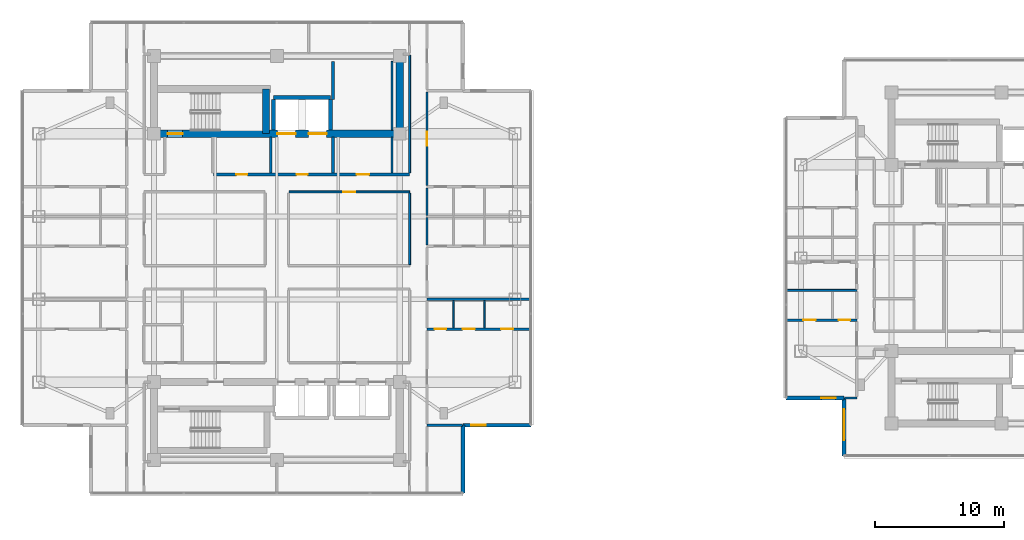
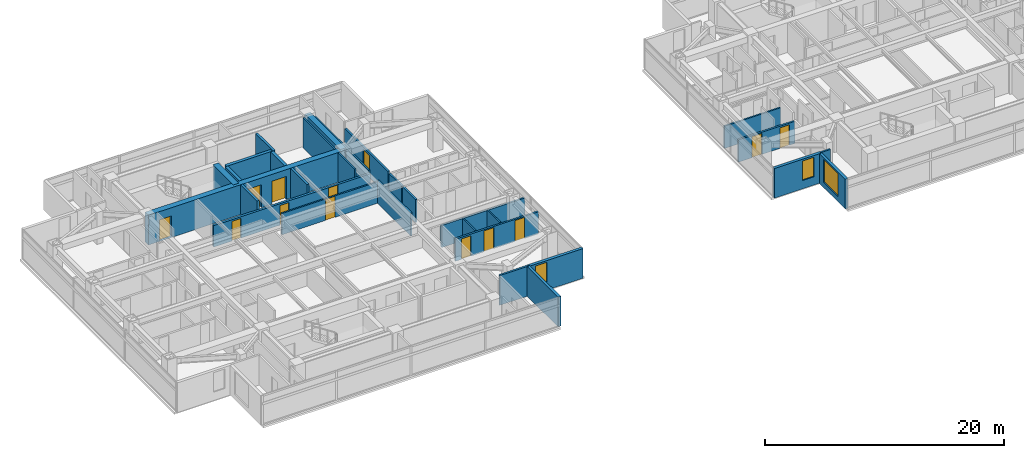
# One storey, part 14 of 24: 30 walls, 13 doors, 3 windows, 16 openings.
"""IFC4 building model written with IfcOpenShell, lengths in metres."""

from ifc_helpers import new_model, si_unit, direction, frame, frame_2d, origin, place, context, subcontext, project, spatial, rectangle, extrude, material, layer, layer_set, type_object, element, fill, save


model = new_model("IFC4")

# Units and contexts
model_context = context("Model", 3, precision=1e-05, world=origin(), true_north=direction((0.0, 1.0)))
body_context = subcontext(model_context, "Body", "Model", "MODEL_VIEW")
ifc_project = project(units=[si_unit("LENGTHUNIT", "METRE"), si_unit("AREAUNIT", "SQUARE_METRE"), si_unit("VOLUMEUNIT", "CUBIC_METRE"), si_unit("PLANEANGLEUNIT", "RADIAN"), si_unit("MASSUNIT", "GRAM", prefix="KILO")], contexts=[model_context])

# Site, building, storey
site_placement = place(None, origin())
site = spatial("IfcSite", under=ifc_project, at=site_placement, CompositionType="ELEMENT")
building_placement = place(site_placement, origin())
building = spatial("IfcBuilding", under=site, at=building_placement, Name="Mirazonda Arch Towers", CompositionType="ELEMENT")
storey_placement = place(building_placement, frame((0.0, 0.0, 154.39990234375)))
storey = spatial("IfcBuildingStorey", under=building, at=storey_placement, Name="L43", CompositionType="ELEMENT", Elevation=154.39990234375)

# Wall
ifc_material_1 = material(Name="Concrete C50/60", Category="concrete")
ifc_layer_1 = layer(ifc_material_1, 0.550048828125, Name="WALL-CORE-550")
ifc_layer_set_1 = layer_set([ifc_layer_1], Name="Concrete C50/60")
wall_type_1 = type_object("IfcWallType", Name="WALL-CORE-550", PredefinedType="SHEAR", material=ifc_layer_set_1)
wall_1_placement = place(storey_placement, frame((30.0, 37.60009765625, 0.0), z_axis=(0.0, 0.0, 1.0), x_axis=(0.0, 1.0, 0.0)))
element("IfcWall", 1, at=wall_1_placement, inside=storey, type_object=wall_type_1, Name="L43 T1N-E Core Shear Wall", PredefinedType="SHEAR", context=body_context, shape_type="SweptSolid", body=[
    extrude(rectangle(XDim=6.0, YDim=0.550048828125, at=frame_2d((3.0, 0.0))), origin(), (0.0, 0.0, 1.0), 3.050048828125),
])

# Wall, openings, doors
wall_2_placement = place(storey_placement, frame((11.0, 37.60009765625, 0.0), z_axis=(0.0, 0.0, 1.0), x_axis=(1.0, 0.0, 0.0)))
wall_2 = element("IfcWall", 2, at=wall_2_placement, inside=storey, type_object=wall_type_1, Name="L43 T1N-S Core Shear Wall", PredefinedType="SHEAR", context=body_context, shape_type="SweptSolid", body=[
    extrude(rectangle(XDim=19.0, YDim=0.550048828125, at=frame_2d((9.5, 0.0))), origin(), (0.0, 0.0, 1.0), 3.050048828125),
])
opening_1_placement = place(wall_2_placement, frame((1.06005859375, 0.0, 0.0)))
opening_1 = element("IfcOpeningElement", 3, at=opening_1_placement, cuts=wall_2, Name="Opening DR-135", PredefinedType="OPENING", context=body_context, shape_type="SweptSolid", body=[
    extrude(rectangle(XDim=1.14990234375, YDim=2.199951171875, at=frame_2d((0.574951171875, 1.10009765625))), frame((0.0, 0.284912109375, 0.0), z_axis=(0.0, -1.0, 0.0), x_axis=(1.0, 0.0, 0.0)), (0.0, 0.0, 1.0), 0.570068359375),
])
opening_2_placement = place(wall_2_placement, frame((9.550048828125, 0.0, 0.0)))
opening_2 = element("IfcOpeningElement", 4, at=opening_2_placement, cuts=wall_2, Name="Opening LD-112", PredefinedType="OPENING", context=body_context, shape_type="SweptSolid", body=[
    extrude(rectangle(XDim=1.39990234375, YDim=2.35009765625, at=frame_2d((0.699951171875, 1.175048828125))), frame((0.0, 0.284912109375, 0.0), z_axis=(0.0, -1.0, 0.0), x_axis=(1.0, 0.0, 0.0)), (0.0, 0.0, 1.0), 0.570068359375),
])
opening_3_placement = place(wall_2_placement, frame((11.949951171875, 0.0, 0.0)))
opening_3 = element("IfcOpeningElement", 5, at=opening_3_placement, cuts=wall_2, Name="Opening LD-112", PredefinedType="OPENING", context=body_context, shape_type="SweptSolid", body=[
    extrude(rectangle(XDim=1.39990234375, YDim=2.35009765625, at=frame_2d((0.699951171875, 1.175048828125))), frame((0.0, 0.284912109375, 0.0), z_axis=(0.0, -1.0, 0.0), x_axis=(1.0, 0.0, 0.0)), (0.0, 0.0, 1.0), 0.570068359375),
])
ifc_material_2 = material(Name="Architectural Brushed Steel S355", Category="steel")
door_type_1 = type_object("IfcDoorType", Name="DOOR-LIFT-FFL-1400", OperationType="NOTDEFINED", PredefinedType="DOOR", material=ifc_material_2)
door_1_placement = place(opening_2_placement, origin())
door_1 = element("IfcDoor", 6, at=door_1_placement, inside=storey, type_object=door_type_1, Name="L43 Lift Landing Sliding Door FFL-T1", OperationType="DOUBLE_DOOR_SLIDING", OverallHeight=2.35009765625, OverallWidth=1.39990234375, PredefinedType="DOOR", context=body_context, shape_type="SweptSolid", body=[
    extrude(rectangle(XDim=1.39990234375, YDim=2.35009765625, at=frame_2d((0.699951171875, 1.175048828125))), frame((0.0, 0.02490234375, 0.0), z_axis=(0.0, -1.0, 0.0), x_axis=(1.0, 0.0, 0.0)), (0.0, 0.0, 1.0), 0.050048828125),
])
fill(opening_2, door_1)
door_2_placement = place(opening_3_placement, origin())
door_2 = element("IfcDoor", 7, at=door_2_placement, inside=storey, type_object=door_type_1, Name="L43 Lift Landing Sliding Door SVL-T1", OperationType="DOUBLE_DOOR_SLIDING", OverallHeight=2.35009765625, OverallWidth=1.39990234375, PredefinedType="DOOR", context=body_context, shape_type="SweptSolid", body=[
    extrude(rectangle(XDim=1.39990234375, YDim=2.35009765625, at=frame_2d((0.699951171875, 1.175048828125))), frame((0.0, 0.02490234375, 0.0), z_axis=(0.0, -1.0, 0.0), x_axis=(1.0, 0.0, 0.0)), (0.0, 0.0, 1.0), 0.050048828125),
])
fill(opening_3, door_2)
door_type_2 = type_object("IfcDoorType", Name="DOOR-STAIR-FD90-1150", OperationType="NOTDEFINED", PredefinedType="DOOR", material=ifc_material_2)
door_3_placement = place(opening_1_placement, origin())
door_3 = element("IfcDoor", 8, at=door_3_placement, inside=storey, type_object=door_type_2, Name="L43 Protected Exit Stair North Door", OperationType="SINGLE_SWING_RIGHT", OverallHeight=2.199951171875, OverallWidth=1.14990234375, PredefinedType="DOOR", context=body_context, shape_type="SweptSolid", body=[
    extrude(rectangle(XDim=1.14990234375, YDim=2.199951171875, at=frame_2d((0.574951171875, 1.10009765625))), frame((0.0, 0.02490234375, 0.0), z_axis=(0.0, -1.0, 0.0), x_axis=(1.0, 0.0, 0.0)), (0.0, 0.0, 1.0), 0.050048828125),
])
fill(opening_1, door_3)

# Wall
wall_3_placement = place(storey_placement, frame((19.64990234375, 37.60009765625, 0.0), z_axis=(0.0, 0.0, 1.0), x_axis=(0.0, 1.0, 0.0)))
element("IfcWall", 9, at=wall_3_placement, inside=storey, type_object=wall_type_1, Name="L43 T1N-STE Core Shear Wall", PredefinedType="SHEAR", context=body_context, shape_type="SweptSolid", body=[
    extrude(rectangle(XDim=3.44287109375, YDim=0.550048828125, at=frame_2d((1.721435546875, 0.0))), origin(), (0.0, 0.0, 1.0), 3.050048828125),
])

# Wall, opening, window
ifc_material_3 = material(Name="Precast Concrete C40/50", Category="concrete")
ifc_layer_2 = layer(ifc_material_3, 0.280029296875, Name="WALL-EXT-WALL-280")
ifc_layer_set_2 = layer_set([ifc_layer_2], Name="Precast Concrete C40/50")
wall_type_2 = type_object("IfcWallType", Name="WALL-EXT-WALL-280", PredefinedType="SOLIDWALL", material=ifc_layer_set_2)
wall_4_placement = place(storey_placement, frame((34.885009765625, 15.074951171875, 0.0), z_axis=(0.0, 0.0, 1.0), x_axis=(1.0, 0.0, 0.0)))
wall_4 = element("IfcWall", 10, at=wall_4_placement, inside=storey, type_object=wall_type_2, Name="L43 T1 Corner Notch Return Wall WL-L43-T1-CSE1", PredefinedType="SOLIDWALL", context=body_context, shape_type="SweptSolid", body=[
    extrude(rectangle(XDim=5.244873046875, YDim=0.280029296875, at=frame_2d((2.62255859375, 0.0))), origin(), (0.0, 0.0, 1.0), 3.030029296875),
])
opening_4_placement = place(wall_4_placement, frame((0.64990234375, 0.0, 0.85009765625)))
opening_4 = element("IfcOpeningElement", 11, at=opening_4_placement, cuts=wall_4, Name="Opening WN-108", PredefinedType="OPENING", context=body_context, shape_type="SweptSolid", body=[
    extrude(rectangle(XDim=1.10009765625, YDim=2.0, at=frame_2d((0.550048828125, 1.0))), frame((0.0, 0.14990234375, 0.0), z_axis=(0.0, -1.0, 0.0), x_axis=(1.0, 0.0, 0.0)), (0.0, 0.0, 1.0), 0.300048828125),
])
ifc_material_4 = material(Name="Insulated Low-E Solar Glass", Category="glass")
window_type_1 = type_object("IfcWindowType", Name="WIN-NOTCH-1100x2000", PartitioningType="SINGLE_PANEL", PredefinedType="WINDOW", material=ifc_material_4)
window_1_placement = place(opening_4_placement, origin())
window_1 = element("IfcWindow", 12, at=window_1_placement, inside=storey, type_object=window_type_1, Name="L43 Punched Facade Window WN-L43-T1-CSE1", OverallHeight=2.0, OverallWidth=1.10009765625, PartitioningType="SINGLE_PANEL", PredefinedType="WINDOW", context=body_context, shape_type="SweptSolid", body=[
    extrude(rectangle(XDim=1.10009765625, YDim=2.0, at=frame_2d((0.550048828125, 1.0))), frame((0.0, 0.030029296875, 0.0), z_axis=(0.0, -1.0, 0.0), x_axis=(1.0, 0.0, 0.0)), (0.0, 0.0, 1.0), 0.06005859375),
])
fill(opening_4, window_1)

# Wall
wall_5_placement = place(storey_placement, frame((34.885009765625, 9.830078125, 0.0), z_axis=(0.0, 0.0, 1.0), x_axis=(0.0, 1.0, 0.0)))
element("IfcWall", 13, at=wall_5_placement, inside=storey, type_object=wall_type_2, Name="L43 T1 Corner Notch Return Wall WL-L43-T1-CSE2", PredefinedType="SOLIDWALL", context=body_context, shape_type="SweptSolid", body=[
    extrude(rectangle(XDim=5.244873046875, YDim=0.280029296875, at=frame_2d((2.62255859375, 0.0))), origin(), (0.0, 0.0, 1.0), 3.030029296875),
])

# Wall, opening, window
wall_6_placement = place(storey_placement, frame((64.332763671875, 17.173583984375, 0.0), z_axis=(0.0, 0.0, 1.0), x_axis=(0.0, -1.0, 0.0)))
wall_6 = element("IfcWall", 14, at=wall_6_placement, inside=storey, type_object=wall_type_2, Name="L43 T2 Notched SW Corner Wall WL-L43-T2-CSW", PredefinedType="SOLIDWALL", context=body_context, shape_type="SweptSolid", body=[
    extrude(rectangle(XDim=4.465087890625, YDim=0.280029296875, at=frame_2d((2.232421875, 0.0))), origin(), (0.0, 0.0, 1.0), 3.030029296875),
])
opening_5_placement = place(wall_6_placement, frame((0.85009765625, 0.0, 0.530029296875)))
opening_5 = element("IfcOpeningElement", 15, at=opening_5_placement, cuts=wall_6, Name="Opening WN-121", PredefinedType="OPENING", context=body_context, shape_type="SweptSolid", body=[
    extrude(rectangle(XDim=2.39990234375, YDim=2.35009765625, at=frame_2d((1.199951171875, 1.175048828125))), frame((0.0, 0.14990234375, 0.0), z_axis=(0.0, -1.0, 0.0), x_axis=(1.0, 0.0, 0.0)), (0.0, 0.0, 1.0), 0.300048828125),
])
window_type_2 = type_object("IfcWindowType", Name="WIN-PENT-2400x2350", PartitioningType="SINGLE_PANEL", PredefinedType="WINDOW", material=ifc_material_4)
window_2_placement = place(opening_5_placement, origin())
window_2 = element("IfcWindow", 16, at=window_2_placement, inside=storey, type_object=window_type_2, Name="L43 Punched Facade Window WN-L43-T2-CSW", OverallHeight=2.35009765625, OverallWidth=2.39990234375, PartitioningType="SINGLE_PANEL", PredefinedType="WINDOW", context=body_context, shape_type="SweptSolid", body=[
    extrude(rectangle(XDim=2.39990234375, YDim=2.35009765625, at=frame_2d((1.199951171875, 1.175048828125))), frame((0.0, 0.030029296875, 0.0), z_axis=(0.0, -1.0, 0.0), x_axis=(1.0, 0.0, 0.0)), (0.0, 0.0, 1.0), 0.06005859375),
])
fill(opening_5, window_2)

wall_7_placement = place(storey_placement, frame((59.867431640625, 17.173583984375, 0.0), z_axis=(0.0, 0.0, 1.0), x_axis=(1.0, 0.0, 0.0)))
wall_7 = element("IfcWall", 17, at=wall_7_placement, inside=storey, type_object=wall_type_2, Name="L43 T2 Corner Notch Return Wall WL-L43-T2-CSW2", PredefinedType="SOLIDWALL", context=body_context, shape_type="SweptSolid", body=[
    extrude(rectangle(XDim=4.46533203125, YDim=0.280029296875, at=frame_2d((2.232666015625, 0.0))), origin(), (0.0, 0.0, 1.0), 3.030029296875),
])
opening_6_placement = place(wall_7_placement, frame((2.715087890625, 0.0, 0.85009765625)))
opening_6 = element("IfcOpeningElement", 18, at=opening_6_placement, cuts=wall_7, Name="Opening WN-108", PredefinedType="OPENING", context=body_context, shape_type="SweptSolid", body=[
    extrude(rectangle(XDim=1.10009765625, YDim=2.0, at=frame_2d((0.550048828125, 1.0))), frame((0.0, 0.14990234375, 0.0), z_axis=(0.0, -1.0, 0.0), x_axis=(1.0, 0.0, 0.0)), (0.0, 0.0, 1.0), 0.300048828125),
])
window_3_placement = place(opening_6_placement, origin())
window_3 = element("IfcWindow", 19, at=window_3_placement, inside=storey, type_object=window_type_1, Name="L43 Punched Facade Window WN-L43-T2-CSW2", OverallHeight=2.0, OverallWidth=1.10009765625, PartitioningType="SINGLE_PANEL", PredefinedType="WINDOW", context=body_context, shape_type="SweptSolid", body=[
    extrude(rectangle(XDim=1.10009765625, YDim=2.0, at=frame_2d((0.550048828125, 1.0))), frame((0.0, 0.030029296875, 0.0), z_axis=(0.0, -1.0, 0.0), x_axis=(1.0, 0.0, 0.0)), (0.0, 0.0, 1.0), 0.06005859375),
])
fill(opening_6, window_3)

# Wall, openings, doors
ifc_material_5 = material(Name="Concrete C40/50", Category="concrete")
ifc_layer_3 = layer(ifc_material_5, 0.219970703125, Name="WALL-FFL-220")
ifc_layer_set_3 = layer_set([ifc_layer_3], Name="Concrete C40/50")
wall_type_3 = type_object("IfcWallType", Name="WALL-FFL-220", PredefinedType="SOLIDWALL", material=ifc_layer_set_3)
wall_8_placement = place(storey_placement, frame((15.590087890625, 34.449951171875, 0.0), z_axis=(0.0, 0.0, 1.0), x_axis=(1.0, 0.0, 0.0)))
wall_8 = element("IfcWall", 20, at=wall_8_placement, inside=storey, type_object=wall_type_3, Name="L43 Interior Partition 052", PredefinedType="SOLIDWALL", context=body_context, shape_type="SweptSolid", body=[
    extrude(rectangle(XDim=15.169921875, YDim=0.219970703125, at=frame_2d((7.5849609375, 0.0))), origin(), (0.0, 0.0, 1.0), 2.18603515625),
])
opening_7_placement = place(wall_8_placement, frame((6.43505859375, 0.0, 0.0)))
opening_7 = element("IfcOpeningElement", 21, at=opening_7_placement, cuts=wall_8, Name="Opening DR-128", PredefinedType="OPENING", context=body_context, shape_type="SweptSolid", body=[
    extrude(rectangle(XDim=0.85009765625, YDim=2.010009765625, at=frame_2d((0.425048828125, 1.0048828125))), frame((0.0, 0.119873046875, 0.0), z_axis=(0.0, -1.0, 0.0), x_axis=(1.0, 0.0, 0.0)), (0.0, 0.0, 1.0), 0.239990234375),
])
opening_8_placement = place(wall_8_placement, frame((11.0849609375, 0.0, 0.0)))
opening_8 = element("IfcOpeningElement", 22, at=opening_8_placement, cuts=wall_8, Name="Opening DR-104", PredefinedType="OPENING", context=body_context, shape_type="SweptSolid", body=[
    extrude(rectangle(XDim=0.949951171875, YDim=2.14990234375, at=frame_2d((0.47509765625, 1.074951171875))), frame((0.0, 0.119873046875, 0.0), z_axis=(0.0, -1.0, 0.0), x_axis=(1.0, 0.0, 0.0)), (0.0, 0.0, 1.0), 0.239990234375),
])
opening_9_placement = place(wall_8_placement, frame((1.77490234375, 0.0, 0.0)))
opening_9 = element("IfcOpeningElement", 23, at=opening_9_placement, cuts=wall_8, Name="Opening DR-128", PredefinedType="OPENING", context=body_context, shape_type="SweptSolid", body=[
    extrude(rectangle(XDim=0.85009765625, YDim=2.010009765625, at=frame_2d((0.425048828125, 1.0048828125))), frame((0.0, 0.119873046875, 0.0), z_axis=(0.0, -1.0, 0.0), x_axis=(1.0, 0.0, 0.0)), (0.0, 0.0, 1.0), 0.239990234375),
])
door_type_3 = type_object("IfcDoorType", Name="DOOR-RISER-FD60-850", OperationType="NOTDEFINED", PredefinedType="DOOR", material=ifc_material_2)
door_4_placement = place(opening_7_placement, origin())
door_4 = element("IfcDoor", 24, at=door_4_placement, inside=storey, type_object=door_type_3, Name="L43 Firefighting Lift Lobby Door", OperationType="SINGLE_SWING_LEFT", OverallHeight=2.010009765625, OverallWidth=0.85009765625, PredefinedType="DOOR", context=body_context, shape_type="SweptSolid", body=[
    extrude(rectangle(XDim=0.85009765625, YDim=2.010009765625, at=frame_2d((0.425048828125, 1.0048828125))), frame((0.0, 0.02490234375, 0.0), z_axis=(0.0, -1.0, 0.0), x_axis=(1.0, 0.0, 0.0)), (0.0, 0.0, 1.0), 0.050048828125),
])
fill(opening_7, door_4)
door_5_placement = place(opening_9_placement, origin())
door_5 = element("IfcDoor", 25, at=door_5_placement, inside=storey, type_object=door_type_3, Name="L43 Housekeeping Linen Room Door", OperationType="SINGLE_SWING_LEFT", OverallHeight=2.010009765625, OverallWidth=0.85009765625, PredefinedType="DOOR", context=body_context, shape_type="SweptSolid", body=[
    extrude(rectangle(XDim=0.85009765625, YDim=2.010009765625, at=frame_2d((0.425048828125, 1.0048828125))), frame((0.0, 0.02490234375, 0.0), z_axis=(0.0, -1.0, 0.0), x_axis=(1.0, 0.0, 0.0)), (0.0, 0.0, 1.0), 0.050048828125),
])
fill(opening_9, door_5)
door_type_4 = type_object("IfcDoorType", Name="DOOR-ROOM-950", OperationType="NOTDEFINED", PredefinedType="DOOR", material=ifc_material_2)
door_6_placement = place(opening_8_placement, origin())
door_6 = element("IfcDoor", 26, at=door_6_placement, inside=storey, type_object=door_type_4, Name="L43 Residents Private Art Gallery Door", OperationType="SINGLE_SWING_RIGHT", OverallHeight=2.14990234375, OverallWidth=0.949951171875, PredefinedType="DOOR", context=body_context, shape_type="SweptSolid", body=[
    extrude(rectangle(XDim=0.949951171875, YDim=2.14990234375, at=frame_2d((0.47509765625, 1.074951171875))), frame((0.0, 0.02490234375, 0.0), z_axis=(0.0, -1.0, 0.0), x_axis=(1.0, 0.0, 0.0)), (0.0, 0.0, 1.0), 0.050048828125),
])
fill(opening_8, door_6)

# Walls
for number, where, z_axis, x_axis, name in (
    (27, (20.02490234375, 34.570068359375, 0.0), (0.0, 0.0, 1.0), (0.0, 1.0, 0.0), "L43 Interior Partition 089"),
    (28, (24.85009765625, 34.570068359375, 0.0), (0.0, 0.0, 1.0), (0.0, 1.0, 0.0), "L43 Interior Partition 100"),
):
    element("IfcWall", number, at=place(storey_placement, frame(where, z_axis=z_axis, x_axis=x_axis)), inside=storey, type_object=wall_type_3, Name=name, PredefinedType="SOLIDWALL", context=body_context, shape_type="SweptSolid", body=[
        extrude(rectangle(XDim=2.760009765625, YDim=0.219970703125, at=frame_2d((1.3798828125, 0.0))), origin(), (0.0, 0.0, 1.0), 3.050048828125),
    ])
wall_9_placement = place(storey_placement, frame((24.85009765625, 40.260009765625, 0.0), z_axis=(0.0, 0.0, 1.0), x_axis=(0.0, 1.0, 0.0)))
element("IfcWall", 29, at=wall_9_placement, inside=storey, type_object=wall_type_3, Name="L43 Interior Partition 101", PredefinedType="SOLIDWALL", context=body_context, shape_type="SweptSolid", body=[
    extrude(rectangle(XDim=2.93994140625, YDim=0.219970703125, at=frame_2d((1.469970703125, 0.0))), origin(), (0.0, 0.0, 1.0), 3.050048828125),
])
ifc_material_6 = material(Name="Fire-Rated Gypsum Stud Partition")
ifc_layer_4 = layer(ifc_material_6, 0.14990234375, Name="WALL-PART-CORR-150")
ifc_layer_set_4 = layer_set([ifc_layer_4], Name="Fire-Rated Gypsum Stud Partition")
wall_type_4 = type_object("IfcWallType", Name="WALL-PART-CORR-150", PredefinedType="PARTITIONING", material=ifc_layer_set_4)
wall_10_placement = place(storey_placement, frame((59.866943359375, 25.491943359375, 0.0), z_axis=(0.0, 0.0, 1.0), x_axis=(1.0, 0.0, 0.0)))
element("IfcWall", 30, at=wall_10_placement, inside=storey, type_object=wall_type_4, Name="L43 Interior Partition 031", PredefinedType="PARTITIONING", context=body_context, shape_type="SweptSolid", body=[
    extrude(rectangle(XDim=5.453125, YDim=0.14990234375, at=frame_2d((2.7265625, 0.0))), origin(), (0.0, 0.0, 1.0), 2.26904296875),
])

# Wall, opening, door
wall_11_placement = place(storey_placement, frame((21.43994140625, 33.10009765625, 0.0), z_axis=(0.0, 0.0, 1.0), x_axis=(1.0, 0.0, 0.0)))
wall_11 = element("IfcWall", 31, at=wall_11_placement, inside=storey, type_object=wall_type_4, Name="L43 Interior Partition 048", PredefinedType="PARTITIONING", context=body_context, shape_type="SweptSolid", body=[
    extrude(rectangle(XDim=9.320068359375, YDim=0.14990234375, at=frame_2d((4.66015625, 0.0))), origin(), (0.0, 0.0, 1.0), 2.18603515625),
])
opening_10_placement = place(wall_11_placement, frame((4.18505859375, 0.0, 0.0)))
opening_10 = element("IfcOpeningElement", 32, at=opening_10_placement, cuts=wall_11, Name="Opening DR-104", PredefinedType="OPENING", context=body_context, shape_type="SweptSolid", body=[
    extrude(rectangle(XDim=0.949951171875, YDim=2.14990234375, at=frame_2d((0.47509765625, 1.074951171875))), frame((0.0, 0.0849609375, 0.0), z_axis=(0.0, -1.0, 0.0), x_axis=(1.0, 0.0, 0.0)), (0.0, 0.0, 1.0), 0.169921875),
])
door_7_placement = place(opening_10_placement, origin())
door_7 = element("IfcDoor", 33, at=door_7_placement, inside=storey, type_object=door_type_4, Name="L43 L43 North-East Cruciform Study Door", OperationType="SINGLE_SWING_LEFT", OverallHeight=2.14990234375, OverallWidth=0.949951171875, PredefinedType="DOOR", context=body_context, shape_type="SweptSolid", body=[
    extrude(rectangle(XDim=0.949951171875, YDim=2.14990234375, at=frame_2d((0.47509765625, 1.074951171875))), frame((0.0, 0.02490234375, 0.0), z_axis=(0.0, -1.0, 0.0), x_axis=(1.0, 0.0, 0.0)), (0.0, 0.0, 1.0), 0.050048828125),
])
fill(opening_10, door_7)

# Walls
wall_12_placement = place(storey_placement, frame((29.39990234375, 34.570068359375, 0.0), z_axis=(0.0, 0.0, 1.0), x_axis=(0.0, 1.0, 0.0)))
element("IfcWall", 34, at=wall_12_placement, inside=storey, type_object=wall_type_4, Name="L43 Interior Partition 103", PredefinedType="PARTITIONING", context=body_context, shape_type="SweptSolid", body=[
    extrude(rectangle(XDim=2.760009765625, YDim=0.14990234375, at=frame_2d((1.3798828125, 0.0))), origin(), (0.0, 0.0, 1.0), 3.050048828125),
])
wall_13_placement = place(storey_placement, frame((29.39990234375, 37.8701171875, 0.0), z_axis=(0.0, 0.0, 1.0), x_axis=(0.0, 1.0, 0.0)))
element("IfcWall", 35, at=wall_13_placement, inside=storey, type_object=wall_type_4, Name="L43 Interior Partition 104", PredefinedType="PARTITIONING", context=body_context, shape_type="SweptSolid", body=[
    extrude(rectangle(XDim=5.329833984375, YDim=0.14990234375, at=frame_2d((2.6650390625, 0.0))), origin(), (0.0, 0.0, 1.0), 3.050048828125),
])
wall_14_placement = place(storey_placement, frame((30.760009765625, 27.485107421875, 0.0), z_axis=(0.0, 0.0, 1.0), x_axis=(0.0, 1.0, 0.0)))
element("IfcWall", 36, at=wall_14_placement, inside=storey, type_object=wall_type_4, Name="L43 Interior Partition 108", PredefinedType="PARTITIONING", context=body_context, shape_type="SweptSolid", body=[
    extrude(rectangle(XDim=5.52978515625, YDim=0.14990234375, at=frame_2d((2.764892578125, 0.0))), origin(), (0.0, 0.0, 1.0), 2.34619140625),
])
wall_15_placement = place(storey_placement, frame((30.760009765625, 34.570068359375, 0.0), z_axis=(0.0, 0.0, 1.0), x_axis=(0.0, 1.0, 0.0)))
element("IfcWall", 37, at=wall_15_placement, inside=storey, type_object=wall_type_4, Name="L43 Interior Partition 109", PredefinedType="PARTITIONING", context=body_context, shape_type="SweptSolid", body=[
    extrude(rectangle(XDim=9.094970703125, YDim=0.14990234375, at=frame_2d((4.54736328125, 0.0))), origin(), (0.0, 0.0, 1.0), 2.442138671875),
])
ifc_material_7 = material(Name="Fire-Rated Gypsum Twin-Stud Assembly")
ifc_layer_5 = layer(ifc_material_7, 0.179931640625, Name="WALL-PART-DEMISE-180")
ifc_layer_set_5 = layer_set([ifc_layer_5], Name="Fire-Rated Gypsum Twin-Stud Assembly")
wall_type_5 = type_object("IfcWallType", Name="WALL-PART-DEMISE-180", PredefinedType="PARTITIONING", material=ifc_layer_set_5)
wall_16_placement = place(storey_placement, frame((32.10009765625, 15.074951171875, 0.0), z_axis=(0.0, 0.0, 1.0), x_axis=(1.0, 0.0, 0.0)))
element("IfcWall", 38, at=wall_16_placement, inside=storey, type_object=wall_type_5, Name="L43 Interior Partition 005", PredefinedType="PARTITIONING", context=body_context, shape_type="SweptSolid", body=[
    extrude(rectangle(XDim=2.764892578125, YDim=0.179931640625, at=frame_2d((1.38232421875, 0.0))), origin(), (0.0, 0.0, 1.0), 3.050048828125),
])
wall_17_placement = place(storey_placement, frame((64.352783203125, 17.174072265625, 0.0), z_axis=(0.0, 0.0, 1.0), x_axis=(1.0, 0.0, 0.0)))
element("IfcWall", 39, at=wall_17_placement, inside=storey, type_object=wall_type_5, Name="L43 Interior Partition 009", PredefinedType="PARTITIONING", context=body_context, shape_type="SweptSolid", body=[
    extrude(rectangle(XDim=0.96728515625, YDim=0.179931640625, at=frame_2d((0.483642578125, 0.0))), origin(), (0.0, 0.0, 1.0), 3.050048828125),
])

# Wall, openings, doors
wall_18_placement = place(storey_placement, frame((32.10009765625, 22.5, 0.0), z_axis=(0.0, 0.0, 1.0), x_axis=(1.0, 0.0, 0.0)))
wall_18 = element("IfcWall", 40, at=wall_18_placement, inside=storey, type_object=wall_type_5, Name="L43 Interior Partition 022", PredefinedType="PARTITIONING", context=body_context, shape_type="SweptSolid", body=[
    extrude(rectangle(XDim=8.02978515625, YDim=0.179931640625, at=frame_2d((4.014892578125, 0.0))), origin(), (0.0, 0.0, 1.0), 2.26904296875),
])
opening_11_placement = place(wall_18_placement, frame((5.738037109375, 0.0, 0.0)))
opening_11 = element("IfcOpeningElement", 41, at=opening_11_placement, cuts=wall_18, Name="Opening DR-104", PredefinedType="OPENING", context=body_context, shape_type="SweptSolid", body=[
    extrude(rectangle(XDim=0.949951171875, YDim=2.14990234375, at=frame_2d((0.47509765625, 1.074951171875))), frame((0.0, 0.099853515625, 0.0), z_axis=(0.0, -1.0, 0.0), x_axis=(1.0, 0.0, 0.0)), (0.0, 0.0, 1.0), 0.199951171875),
])
opening_12_placement = place(wall_18_placement, frame((2.762939453125, 0.0, 0.0)))
opening_12 = element("IfcOpeningElement", 42, at=opening_12_placement, cuts=wall_18, Name="Opening DR-104", PredefinedType="OPENING", context=body_context, shape_type="SweptSolid", body=[
    extrude(rectangle(XDim=0.949951171875, YDim=2.14990234375, at=frame_2d((0.47509765625, 1.074951171875))), frame((0.0, 0.099853515625, 0.0), z_axis=(0.0, -1.0, 0.0), x_axis=(1.0, 0.0, 0.0)), (0.0, 0.0, 1.0), 0.199951171875),
])
opening_13_placement = place(wall_18_placement, frame((0.590087890625, 0.0, 0.0)))
opening_13 = element("IfcOpeningElement", 43, at=opening_13_placement, cuts=wall_18, Name="Opening DR-120", PredefinedType="OPENING", context=body_context, shape_type="SweptSolid", body=[
    extrude(rectangle(XDim=0.89990234375, YDim=2.10009765625, at=frame_2d((0.449951171875, 1.050048828125))), frame((0.0, 0.099853515625, 0.0), z_axis=(0.0, -1.0, 0.0), x_axis=(1.0, 0.0, 0.0)), (0.0, 0.0, 1.0), 0.199951171875),
])
door_8_placement = place(opening_11_placement, origin())
door_8 = element("IfcDoor", 44, at=door_8_placement, inside=storey, type_object=door_type_4, Name="L43 Residence 1 Principal Bedroom Door", OperationType="SINGLE_SWING_LEFT", OverallHeight=2.14990234375, OverallWidth=0.949951171875, PredefinedType="DOOR", context=body_context, shape_type="SweptSolid", body=[
    extrude(rectangle(XDim=0.949951171875, YDim=2.14990234375, at=frame_2d((0.47509765625, 1.074951171875))), frame((0.0, 0.02490234375, 0.0), z_axis=(0.0, -1.0, 0.0), x_axis=(1.0, 0.0, 0.0)), (0.0, 0.0, 1.0), 0.050048828125),
])
fill(opening_11, door_8)
door_9_placement = place(opening_12_placement, origin())
door_9 = element("IfcDoor", 45, at=door_9_placement, inside=storey, type_object=door_type_4, Name="L43 Residence 1 Fitted Kitchen Door", OperationType="SINGLE_SWING_RIGHT", OverallHeight=2.14990234375, OverallWidth=0.949951171875, PredefinedType="DOOR", context=body_context, shape_type="SweptSolid", body=[
    extrude(rectangle(XDim=0.949951171875, YDim=2.14990234375, at=frame_2d((0.47509765625, 1.074951171875))), frame((0.0, 0.02490234375, 0.0), z_axis=(0.0, -1.0, 0.0), x_axis=(1.0, 0.0, 0.0)), (0.0, 0.0, 1.0), 0.050048828125),
])
fill(opening_12, door_9)
door_type_5 = type_object("IfcDoorType", Name="DOOR-WC-900", OperationType="NOTDEFINED", PredefinedType="DOOR", material=ifc_material_2)
door_10_placement = place(opening_13_placement, origin())
door_10 = element("IfcDoor", 46, at=door_10_placement, inside=storey, type_object=door_type_5, Name="L43 Residence 1 Bathroom Door", OperationType="SINGLE_SWING_LEFT", OverallHeight=2.10009765625, OverallWidth=0.89990234375, PredefinedType="DOOR", context=body_context, shape_type="SweptSolid", body=[
    extrude(rectangle(XDim=0.89990234375, YDim=2.10009765625, at=frame_2d((0.449951171875, 1.050048828125))), frame((0.0, 0.02490234375, 0.0), z_axis=(0.0, -1.0, 0.0), x_axis=(1.0, 0.0, 0.0)), (0.0, 0.0, 1.0), 0.050048828125),
])
fill(opening_13, door_10)

wall_19_placement = place(storey_placement, frame((59.866943359375, 23.19189453125, 0.0), z_axis=(0.0, 0.0, 1.0), x_axis=(1.0, 0.0, 0.0)))
wall_19 = element("IfcWall", 47, at=wall_19_placement, inside=storey, type_object=wall_type_5, Name="L43 Interior Partition 025", PredefinedType="PARTITIONING", context=body_context, shape_type="SweptSolid", body=[
    extrude(rectangle(XDim=5.453125, YDim=0.179931640625, at=frame_2d((2.7265625, 0.0))), origin(), (0.0, 0.0, 1.0), 2.26904296875),
])
opening_14_placement = place(wall_19_placement, frame((1.33154296875, 0.0, 0.0)))
opening_14 = element("IfcOpeningElement", 48, at=opening_14_placement, cuts=wall_19, Name="Opening DR-104", PredefinedType="OPENING", context=body_context, shape_type="SweptSolid", body=[
    extrude(rectangle(XDim=0.949951171875, YDim=2.14990234375, at=frame_2d((0.47509765625, 1.074951171875))), frame((0.0, 0.099853515625, 0.0), z_axis=(0.0, -1.0, 0.0), x_axis=(1.0, 0.0, 0.0)), (0.0, 0.0, 1.0), 0.199951171875),
])
opening_15_placement = place(wall_19_placement, frame((4.04296875, 0.0, 0.0)))
opening_15 = element("IfcOpeningElement", 49, at=opening_15_placement, cuts=wall_19, Name="Opening DR-120", PredefinedType="OPENING", context=body_context, shape_type="SweptSolid", body=[
    extrude(rectangle(XDim=0.89990234375, YDim=2.10009765625, at=frame_2d((0.449951171875, 1.050048828125))), frame((0.0, 0.099853515625, 0.0), z_axis=(0.0, -1.0, 0.0), x_axis=(1.0, 0.0, 0.0)), (0.0, 0.0, 1.0), 0.199951171875),
])
door_11_placement = place(opening_14_placement, origin())
door_11 = element("IfcDoor", 50, at=door_11_placement, inside=storey, type_object=door_type_4, Name="L43 Studio 1 Galley Kitchen Door", OperationType="SINGLE_SWING_LEFT", OverallHeight=2.14990234375, OverallWidth=0.949951171875, PredefinedType="DOOR", context=body_context, shape_type="SweptSolid", body=[
    extrude(rectangle(XDim=0.949951171875, YDim=2.14990234375, at=frame_2d((0.47509765625, 1.074951171875))), frame((0.0, 0.02490234375, 0.0), z_axis=(0.0, -1.0, 0.0), x_axis=(1.0, 0.0, 0.0)), (0.0, 0.0, 1.0), 0.050048828125),
])
fill(opening_14, door_11)
door_12_placement = place(opening_15_placement, origin())
door_12 = element("IfcDoor", 51, at=door_12_placement, inside=storey, type_object=door_type_5, Name="L43 Studio 1 Bathroom Door", OperationType="SINGLE_SWING_RIGHT", OverallHeight=2.10009765625, OverallWidth=0.89990234375, PredefinedType="DOOR", context=body_context, shape_type="SweptSolid", body=[
    extrude(rectangle(XDim=0.89990234375, YDim=2.10009765625, at=frame_2d((0.449951171875, 1.050048828125))), frame((0.0, 0.02490234375, 0.0), z_axis=(0.0, -1.0, 0.0), x_axis=(1.0, 0.0, 0.0)), (0.0, 0.0, 1.0), 0.050048828125),
])
fill(opening_15, door_12)

# Walls
wall_20_placement = place(storey_placement, frame((32.10009765625, 24.800048828125, 0.0), z_axis=(0.0, 0.0, 1.0), x_axis=(1.0, 0.0, 0.0)))
element("IfcWall", 52, at=wall_20_placement, inside=storey, type_object=wall_type_5, Name="L43 Interior Partition 027", PredefinedType="PARTITIONING", context=body_context, shape_type="SweptSolid", body=[
    extrude(rectangle(XDim=8.02978515625, YDim=0.179931640625, at=frame_2d((4.014892578125, 0.0))), origin(), (0.0, 0.0, 1.0), 2.26904296875),
])
for number, where, z_axis, x_axis, name in (
    (53, (32.10009765625, 29.0, 0.0), (0.0, 0.0, 1.0), (0.0, 1.0, 0.0), "L43 Interior Partition 115"),
    (54, (32.10009765625, 31.2724609375, 0.0), (0.0, 0.0, 1.0), (0.0, 1.0, 0.0), "L43 Interior Partition 116"),
):
    element("IfcWall", number, at=place(storey_placement, frame(where, z_axis=z_axis, x_axis=x_axis)), inside=storey, type_object=wall_type_5, Name=name, PredefinedType="PARTITIONING", context=body_context, shape_type="SweptSolid", body=[
        extrude(rectangle(XDim=2.12744140625, YDim=0.179931640625, at=frame_2d((1.063720703125, 0.0))), origin(), (0.0, 0.0, 1.0), 2.34619140625),
    ])

# Wall, opening, door
wall_21_placement = place(storey_placement, frame((32.10009765625, 33.60009765625, 0.0), z_axis=(0.0, 0.0, 1.0), x_axis=(0.0, 1.0, 0.0)))
wall_21 = element("IfcWall", 55, at=wall_21_placement, inside=storey, type_object=wall_type_5, Name="L43 Interior Partition 117", PredefinedType="PARTITIONING", context=body_context, shape_type="SweptSolid", body=[
    extrude(rectangle(XDim=7.224853515625, YDim=0.179931640625, at=frame_2d((3.6123046875, 0.0))), origin(), (0.0, 0.0, 1.0), 2.442138671875),
])
opening_16_placement = place(wall_21_placement, frame((3.08740234375, 0.0, 0.0)))
opening_16 = element("IfcOpeningElement", 56, at=opening_16_placement, cuts=wall_21, Name="Opening DR-121", PredefinedType="OPENING", context=body_context, shape_type="SweptSolid", body=[
    extrude(rectangle(XDim=1.050048828125, YDim=2.199951171875, at=frame_2d((0.52490234375, 1.10009765625))), frame((0.0, 0.099853515625, 0.0), z_axis=(0.0, -1.0, 0.0), x_axis=(1.0, 0.0, 0.0)), (0.0, 0.0, 1.0), 0.199951171875),
])
door_type_6 = type_object("IfcDoorType", Name="DOOR-SUITE-FD60-1050", OperationType="NOTDEFINED", PredefinedType="DOOR", material=ifc_material_2)
door_13_placement = place(opening_16_placement, origin())
door_13 = element("IfcDoor", 57, at=door_13_placement, inside=storey, type_object=door_type_6, Name="L43 Residence 3 Living & Dining Salon Door", OperationType="SINGLE_SWING_RIGHT", OverallHeight=2.199951171875, OverallWidth=1.050048828125, PredefinedType="DOOR", context=body_context, shape_type="SweptSolid", body=[
    extrude(rectangle(XDim=1.050048828125, YDim=2.199951171875, at=frame_2d((0.52490234375, 1.10009765625))), frame((0.0, 0.02490234375, 0.0), z_axis=(0.0, -1.0, 0.0), x_axis=(1.0, 0.0, 0.0)), (0.0, 0.0, 1.0), 0.050048828125),
])
fill(opening_16, door_13)

# Walls
ifc_material_8 = material(Name="Acoustic Fire-Rated Gypsum Partition")
ifc_layer_6 = layer(ifc_material_8, 0.125, Name="WALL-PART-UNIT-125")
ifc_layer_set_6 = layer_set([ifc_layer_6], Name="Acoustic Fire-Rated Gypsum Partition")
wall_type_6 = type_object("IfcWallType", Name="WALL-PART-UNIT-125", PredefinedType="PARTITIONING", material=ifc_layer_set_6)
for number, where, z_axis, x_axis, name in (
    (58, (34.139892578125, 22.60009765625, 0.0), (0.0, 0.0, 1.0), (0.0, 1.0, 0.0), "L43 Interior Partition 119"),
    (59, (36.535888671875, 22.60009765625, 0.0), (0.0, 0.0, 1.0), (0.0, 1.0, 0.0), "L43 Interior Partition 122"),
):
    element("IfcWall", number, at=place(storey_placement, frame(where, z_axis=z_axis, x_axis=x_axis)), inside=storey, type_object=wall_type_6, Name=name, PredefinedType="PARTITIONING", context=body_context, shape_type="SweptSolid", body=[
        extrude(rectangle(XDim=2.099853515625, YDim=0.125, at=frame_2d((1.0498046875, 0.0))), origin(), (0.0, 0.0, 1.0), 2.34619140625),
    ])
ifc_layer_7 = layer(ifc_material_1, 0.300048828125, Name="WALL-SHAFT-300")
ifc_layer_set_7 = layer_set([ifc_layer_7], Name="Concrete C50/60")
wall_type_7 = type_object("IfcWallType", Name="WALL-SHAFT-300", PredefinedType="SOLIDWALL", material=ifc_layer_set_7)
wall_22_placement = place(storey_placement, frame((20.25, 40.39990234375, 0.0), z_axis=(0.0, 0.0, 1.0), x_axis=(1.0, 0.0, 0.0)))
element("IfcWall", 60, at=wall_22_placement, inside=storey, type_object=wall_type_7, Name="L43 Interior Partition 059", PredefinedType="SOLIDWALL", context=body_context, shape_type="SweptSolid", body=[
    extrude(rectangle(XDim=4.39990234375, YDim=0.300048828125, at=frame_2d((2.199951171875, 0.0))), origin(), (0.0, 0.0, 1.0), 3.050048828125),
])
for number, where, z_axis, x_axis, name in (
    (61, (20.25, 37.8701171875, 0.0), (0.0, 0.0, 1.0), (0.0, 1.0, 0.0), "L43 Interior Partition 092"),
    (62, (24.64990234375, 37.8701171875, 0.0), (0.0, 0.0, 1.0), (0.0, 1.0, 0.0), "L43 Interior Partition 098"),
):
    element("IfcWall", number, at=place(storey_placement, frame(where, z_axis=z_axis, x_axis=x_axis)), inside=storey, type_object=wall_type_7, Name=name, PredefinedType="SOLIDWALL", context=body_context, shape_type="SweptSolid", body=[
        extrude(rectangle(XDim=2.369873046875, YDim=0.300048828125, at=frame_2d((1.18505859375, 0.0))), origin(), (0.0, 0.0, 1.0), 3.050048828125),
    ])

save(model, "model.ifc")
